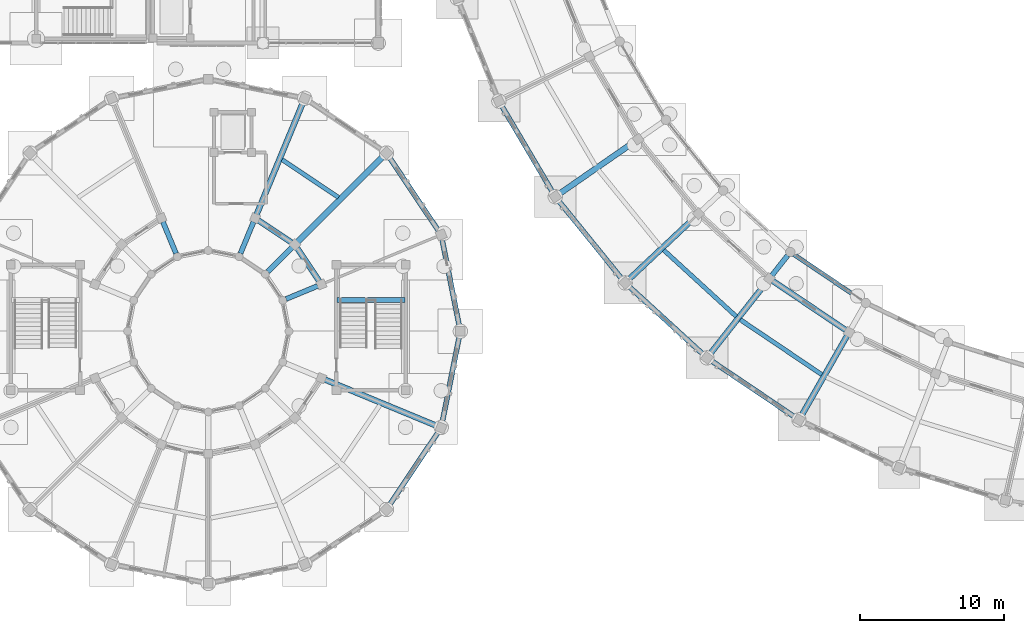
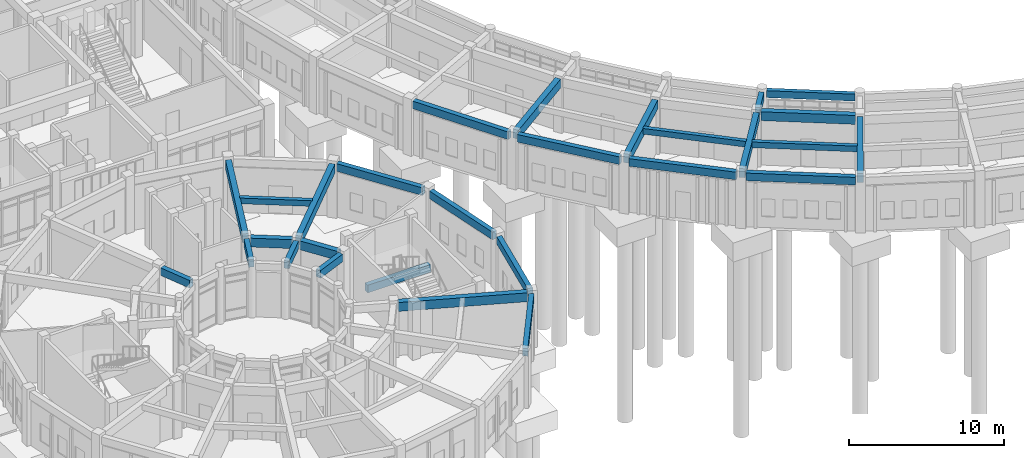
# One storey, part 23 of 153: 28 beams.
"""IFC4 building model written with IfcOpenShell, lengths in metres."""

from ifc_helpers import new_model, si_unit, direction, frame, origin, origin_2d, place, context, subcontext, project, spatial, rectangle, extrude, material, material_profile, profile_set, type_object, element, save


model = new_model("IFC4")

# Units and contexts
model_context = context("Model", 3, precision=1e-05, world=origin(), true_north=direction((0.0, 1.0)))
body_context = subcontext(model_context, "Body", "Model", "MODEL_VIEW")
ifc_project = project(units=[si_unit("LENGTHUNIT", "METRE"), si_unit("AREAUNIT", "SQUARE_METRE"), si_unit("VOLUMEUNIT", "CUBIC_METRE"), si_unit("PLANEANGLEUNIT", "RADIAN"), si_unit("MASSUNIT", "GRAM", prefix="KILO")], contexts=[model_context])

# Site, building, storey
site_placement = place(None, origin())
site = spatial("IfcSite", under=ifc_project, at=site_placement, CompositionType="ELEMENT")
building_placement = place(site_placement, origin())
building = spatial("IfcBuilding", under=site, at=building_placement, Name="Celadon Cloister-Ring School", CompositionType="ELEMENT")
storey_placement = place(building_placement, origin())
storey = spatial("IfcBuildingStorey", under=building, at=storey_placement, Name="L00", CompositionType="ELEMENT", Elevation=0.0)

# Beams
ifc_material_1 = material(Name="Concrete C35/45", Category="concrete")
ifc_material_profile_1 = material_profile(ifc_material_1, rectangle(XDim=0.35009765625, YDim=0.60009765625, at=origin_2d()), Name="RC350X600")
ifc_profile_set_1 = profile_set([ifc_material_profile_1], Name="Concrete C35/45")
beam_type_1 = type_object("IfcBeamType", Name="BT-02", PredefinedType="BEAM", material=ifc_profile_set_1)
beam_1_placement = place(storey_placement, frame((59.322021484375, 23.867919921875, 3.97998046875), z_axis=(0.618720442645, 0.785611235824, 0.0), x_axis=(-0.785611235824, 0.618720442645, 0.0)))
element("IfcBeam", 1, at=beam_1_placement, inside=storey, type_object=beam_type_1, Name="Beam 0027", PredefinedType="BEAM", context=body_context, shape_type="SweptSolid", body=[
    extrude(rectangle(XDim=0.35009765625, YDim=0.60009765625, at=origin_2d()), origin(), (0.0, 0.0, 1.0), 1.7744140625),
])
beam_2_placement = place(storey_placement, frame((27.799072265625, 23.14794921875, 3.9599609375), z_axis=(-0.923862714127, -0.382724033014, 0.0), x_axis=(0.382724033014, -0.923862714127, 0.0)))
element("IfcBeam", 2, at=beam_2_placement, inside=storey, type_object=beam_type_1, Name="Beam 0850", PredefinedType="BEAM", context=body_context, shape_type="SweptSolid", body=[
    extrude(rectangle(XDim=0.35009765625, YDim=0.60009765625, at=origin_2d()), origin(), (0.0, 0.0, 1.0), 2.375),
])
beam_3_placement = place(storey_placement, frame((26.01611328125, 25.81591796875, 3.9599609375), z_axis=(-0.707158186572, -0.707055372064, 0.0), x_axis=(0.707055372064, -0.707158186572, 0.0)))
element("IfcBeam", 3, at=beam_3_placement, inside=storey, type_object=beam_type_1, Name="Beam 0852", PredefinedType="BEAM", context=body_context, shape_type="SweptSolid", body=[
    extrude(rectangle(XDim=0.35009765625, YDim=0.60009765625, at=origin_2d()), origin(), (0.0, 0.0, 1.0), 2.37451171875),
])
for number, where, z_axis, x_axis, name in (
    (4, (23.347900390625, 27.59912109375, 3.9599609375), (-0.382724033014, -0.923862714127, 0.0), (0.923862714127, -0.382724033014, 0.0), "Beam 0854"),
    (5, (17.052001953125, 27.59912109375, 3.9599609375), (0.382724033014, -0.923862714127, 0.0), (0.923862714127, 0.382724033014, 0.0), "Beam 0856"),
):
    element("IfcBeam", number, at=place(storey_placement, frame(where, z_axis=z_axis, x_axis=x_axis)), inside=storey, type_object=beam_type_1, Name=name, PredefinedType="BEAM", context=body_context, shape_type="SweptSolid", body=[
        extrude(rectangle(XDim=0.35009765625, YDim=0.60009765625, at=origin_2d()), origin(), (0.0, 0.0, 1.0), 2.375),
    ])
beam_4_placement = place(storey_placement, frame((29.14990234375, 22.155029296875, 1.64990234375), z_axis=(1.0, 0.0, 0.0), x_axis=(0.0, 1.0, 0.0)))
element("IfcBeam", 6, at=beam_4_placement, inside=storey, type_object=beam_type_1, Name="Stair Landing Beam 1734", PredefinedType="BEAM", context=body_context, shape_type="SweptSolid", body=[
    extrude(rectangle(XDim=0.35009765625, YDim=0.60009765625, at=origin_2d()), origin(), (0.0, 0.0, 1.0), 4.7001953125),
])
ifc_material_2 = material(Name="Concrete C35/45", Category="concrete")
ifc_material_profile_2 = material_profile(ifc_material_2, rectangle(XDim=0.39990234375, YDim=0.699951171875, at=origin_2d()), Name="RC400X700")
ifc_profile_set_2 = profile_set([ifc_material_profile_2], Name="Concrete C35/45")
beam_type_2 = type_object("IfcBeamType", Name="GT-03", PredefinedType="USERDEFINED", material=ifc_profile_set_2)
beam_5_placement = place(storey_placement, frame((44.533935546875, 29.511962890625, 3.929931640625), z_axis=(0.82146242605, 0.570262643515, 0.0), x_axis=(-0.570262643515, 0.82146242605, 0.0)))
element("IfcBeam", 7, at=beam_5_placement, inside=storey, type_object=beam_type_2, Name="Beam 0022", ObjectType="GIRDER", PredefinedType="USERDEFINED", context=body_context, shape_type="SweptSolid", body=[
    extrude(rectangle(XDim=0.39990234375, YDim=0.699951171875, at=origin_2d()), origin(), (0.0, 0.0, 1.0), 6.42529296875),
])
beam_6_placement = place(storey_placement, frame((49.35595703125, 23.56201171875, 3.929931640625), z_axis=(0.728174336837, 0.685391957329, 0.0), x_axis=(-0.685391957329, 0.728174336837, 0.0)))
element("IfcBeam", 8, at=beam_6_placement, inside=storey, type_object=beam_type_2, Name="Beam 0024", ObjectType="GIRDER", PredefinedType="USERDEFINED", context=body_context, shape_type="SweptSolid", body=[
    extrude(rectangle(XDim=0.39990234375, YDim=0.699951171875, at=origin_2d()), origin(), (0.0, 0.0, 1.0), 6.425537109375),
])
beam_7_placement = place(storey_placement, frame((55.006103515625, 18.388916015625, 3.929931640625), z_axis=(0.618806152173, 0.785543726366, 0.0), x_axis=(-0.785543726366, 0.618806152173, 0.0)))
element("IfcBeam", 9, at=beam_7_placement, inside=storey, type_object=beam_type_2, Name="Beam 0026", ObjectType="GIRDER", PredefinedType="USERDEFINED", context=body_context, shape_type="SweptSolid", body=[
    extrude(rectangle(XDim=0.39990234375, YDim=0.699951171875, at=origin_2d()), origin(), (0.0, 0.0, 1.0), 6.425048828125),
])
beam_8_placement = place(storey_placement, frame((61.35693359375, 14.10791015625, 3.929931640625), z_axis=(0.496016173034, 0.868313282225, 0.0), x_axis=(-0.868313282225, 0.496016173034, 0.0)))
element("IfcBeam", 10, at=beam_8_placement, inside=storey, type_object=beam_type_2, Name="Beam 0028", ObjectType="GIRDER", PredefinedType="USERDEFINED", context=body_context, shape_type="SweptSolid", body=[
    extrude(rectangle(XDim=0.39990234375, YDim=0.699951171875, at=origin_2d()), origin(), (0.0, 0.0, 1.0), 6.42529296875),
])
beam_9_placement = place(storey_placement, frame((59.3798828125, 23.498046875, 3.929931640625), z_axis=(0.82927648131, -0.558838543362, 0.0), x_axis=(0.558838543362, 0.82927648131, 0.0)))
element("IfcBeam", 11, at=beam_9_placement, inside=storey, type_object=beam_type_2, Name="Beam 0120", ObjectType="GIRDER", PredefinedType="USERDEFINED", context=body_context, shape_type="SweptSolid", body=[
    extrude(rectangle(XDim=0.39990234375, YDim=0.699951171875, at=origin_2d()), origin(), (0.0, 0.0, 1.0), 6.1162109375),
])
beam_10_placement = place(storey_placement, frame((32.362060546875, 32.162109375, 3.909912109375), z_axis=(-0.707106781187, -0.707106781187, 0.0), x_axis=(0.707106781187, -0.707106781187, 0.0)))
element("IfcBeam", 12, at=beam_10_placement, inside=storey, type_object=beam_type_2, Name="Beam 0851", ObjectType="GIRDER", PredefinedType="USERDEFINED", context=body_context, shape_type="SweptSolid", body=[
    extrude(rectangle(XDim=0.39990234375, YDim=0.699951171875, at=origin_2d()), origin(), (0.0, 0.0, 1.0), 8.42578125),
])
beam_11_placement = place(storey_placement, frame((26.781982421875, 35.89111328125, 3.909912109375), z_axis=(-0.382639277503, -0.923897820818, 0.0), x_axis=(0.923897820818, -0.382639277503, 0.0)))
element("IfcBeam", 13, at=beam_11_placement, inside=storey, type_object=beam_type_2, Name="Beam 0853", ObjectType="GIRDER", PredefinedType="USERDEFINED", context=body_context, shape_type="SweptSolid", body=[
    extrude(rectangle(XDim=0.39990234375, YDim=0.699951171875, at=origin_2d()), origin(), (0.0, 0.0, 1.0), 8.42529296875),
])
beam_12_placement = place(storey_placement, frame((36.091064453125, 13.41796875, 3.909912109375), z_axis=(-0.923887576717, 0.382664011358, 0.0), x_axis=(-0.382664011358, -0.923887576717, 0.0)))
element("IfcBeam", 14, at=beam_12_placement, inside=storey, type_object=beam_type_2, Name="Beam 0872", ObjectType="GIRDER", PredefinedType="USERDEFINED", context=body_context, shape_type="SweptSolid", body=[
    extrude(rectangle(XDim=0.39990234375, YDim=0.699951171875, at=origin_2d()), origin(), (0.0, 0.0, 1.0), 8.425537109375),
])
for number, where, z_axis, x_axis, name in (
    (15, (27.89990234375, 23.48193359375, 3.909912109375), (-0.555738781682, 0.831356966973, 0.0), (-0.831356966973, -0.555738781682, 0.0), "Beam 0877"),
    (16, (25.98095703125, 26.1630859375, 3.909912109375), (-0.831356966973, 0.555738781682, 0.0), (-0.555738781682, -0.831356966973, 0.0), "Beam 0880"),
):
    element("IfcBeam", number, at=place(storey_placement, frame(where, z_axis=z_axis, x_axis=x_axis)), inside=storey, type_object=beam_type_2, Name=name, ObjectType="GIRDER", PredefinedType="USERDEFINED", context=body_context, shape_type="SweptSolid", body=[
        extrude(rectangle(XDim=0.39990234375, YDim=0.699951171875, at=origin_2d()), origin(), (0.0, 0.0, 1.0), 2.765380859375),
    ])
ifc_material_3 = material(Name="Concrete C35/45", Category="concrete")
ifc_material_profile_3 = material_profile(ifc_material_3, rectangle(XDim=0.300048828125, YDim=0.449951171875, at=origin_2d()), Name="RC300X450")
ifc_profile_set_3 = profile_set([ifc_material_profile_3], Name="Concrete C35/45")
beam_type_3 = type_object("IfcBeamType", Name="JT-01", PredefinedType="JOIST", material=ifc_profile_set_3)
beam_13_placement = place(storey_placement, frame((51.81591796875, 25.636962890625, 4.054931640625), z_axis=(0.737515802412, -0.675329875833, 0.0), x_axis=(0.675329875833, 0.737515802412, 0.0)))
element("IfcBeam", 17, at=beam_13_placement, inside=storey, type_object=beam_type_3, Name="Beam 0118", PredefinedType="JOIST", context=body_context, shape_type="SweptSolid", body=[
    extrude(rectangle(XDim=0.300048828125, YDim=0.449951171875, at=origin_2d()), origin(), (0.0, 0.0, 1.0), 6.835205078125),
])
beam_14_placement = place(storey_placement, frame((57.131103515625, 20.804931640625, 4.054931640625), z_axis=(0.829176460094, -0.558986939048, 0.0), x_axis=(0.558986939048, 0.829176460094, 0.0)))
element("IfcBeam", 18, at=beam_14_placement, inside=storey, type_object=beam_type_3, Name="Beam 0122", PredefinedType="JOIST", context=body_context, shape_type="SweptSolid", body=[
    extrude(rectangle(XDim=0.300048828125, YDim=0.449951171875, at=origin_2d()), origin(), (0.0, 0.0, 1.0), 6.835693359375),
])
beam_15_placement = place(storey_placement, frame((29.24609375, 29.2890625, 4.034912109375), z_axis=(-0.831333623542, 0.55577370068, 0.0), x_axis=(-0.55577370068, -0.831333623542, 0.0)))
element("IfcBeam", 19, at=beam_15_placement, inside=storey, type_object=beam_type_3, Name="Beam 0882", PredefinedType="JOIST", context=body_context, shape_type="SweptSolid", body=[
    extrude(rectangle(XDim=0.300048828125, YDim=0.449951171875, at=origin_2d()), origin(), (0.0, 0.0, 1.0), 4.721435546875),
])
ifc_material_4 = material(Name="Concrete C35/45", Category="concrete")
ifc_material_profile_4 = material_profile(ifc_material_4, rectangle(XDim=0.35009765625, YDim=0.60009765625, at=origin_2d()), Name="RC350X600")
ifc_profile_set_4 = profile_set([ifc_material_profile_4], Name="Concrete C35/45")
beam_type_4 = type_object("IfcBeamType", Name="SP-01", PredefinedType="SPANDREL", material=ifc_profile_set_4)
beam_16_placement = place(storey_placement, frame((40.527099609375, 35.718994140625, 3.97998046875), z_axis=(0.507956908895, -0.861382481077, 0.0), x_axis=(0.861382481077, 0.507956908895, 0.0)))
element("IfcBeam", 20, at=beam_16_placement, inside=storey, type_object=beam_type_4, Name="Beam 0107", PredefinedType="SPANDREL", context=body_context, shape_type="SweptSolid", body=[
    extrude(rectangle(XDim=0.35009765625, YDim=0.60009765625, at=origin_2d()), origin(), (0.0, 0.0, 1.0), 7.104736328125),
])
beam_17_placement = place(storey_placement, frame((44.47705078125, 29.10791015625, 3.97998046875), z_axis=(0.629565970538, -0.776947030846, 0.0), x_axis=(0.776947030846, 0.629565970538, 0.0)))
element("IfcBeam", 21, at=beam_17_placement, inside=storey, type_object=beam_type_4, Name="Beam 0111", PredefinedType="SPANDREL", context=body_context, shape_type="SweptSolid", body=[
    extrude(rectangle(XDim=0.35009765625, YDim=0.60009765625, at=origin_2d()), origin(), (0.0, 0.0, 1.0), 7.103271484375),
])
beam_18_placement = place(storey_placement, frame((49.35888671875, 23.153076171875, 3.97998046875), z_axis=(0.737604737807, -0.675232738221, 0.0), x_axis=(0.675232738221, 0.737604737807, 0.0)))
element("IfcBeam", 22, at=beam_18_placement, inside=storey, type_object=beam_type_4, Name="Beam 0115", PredefinedType="SPANDREL", context=body_context, shape_type="SweptSolid", body=[
    extrude(rectangle(XDim=0.35009765625, YDim=0.60009765625, at=origin_2d()), origin(), (0.0, 0.0, 1.0), 7.1044921875),
])
beam_19_placement = place(storey_placement, frame((55.069091796875, 17.985107421875, 3.97998046875), z_axis=(0.82920513084, -0.558944407781, 0.0), x_axis=(0.558944407781, 0.82920513084, 0.0)))
element("IfcBeam", 23, at=beam_19_placement, inside=storey, type_object=beam_type_4, Name="Beam 0119", PredefinedType="SPANDREL", context=body_context, shape_type="SweptSolid", body=[
    extrude(rectangle(XDim=0.35009765625, YDim=0.60009765625, at=origin_2d()), origin(), (0.0, 0.0, 1.0), 7.10302734375),
])
for number, where, z_axis, x_axis, name in (
    (24, (37.64111328125, 20.2939453125, 3.9599609375), (-0.194925014897, 0.980818147552, 0.0), (-0.980818147552, -0.194925014897, 0.0), "Beam 0874"),
    (25, (36.200927734375, 26.946044921875, 3.9599609375), (-0.555514042993, 0.831507154531, 0.0), (-0.831507154531, -0.555514042993, 0.0), "Beam 0876"),
    (26, (32.740966796875, 7.875, 3.9599609375), (0.555514042993, 0.831507154531, 0.0), (-0.831507154531, 0.555514042993, 0.0), "Beam 0918"),
    (27, (36.427001953125, 13.596923828125, 3.9599609375), (0.194925014897, 0.980818147552, 0.0), (-0.980818147552, 0.194925014897, 0.0), "Beam 0922"),
):
    element("IfcBeam", number, at=place(storey_placement, frame(where, z_axis=z_axis, x_axis=x_axis)), inside=storey, type_object=beam_type_4, Name=name, PredefinedType="SPANDREL", context=body_context, shape_type="SweptSolid", body=[
        extrude(rectangle(XDim=0.35009765625, YDim=0.60009765625, at=origin_2d()), origin(), (0.0, 0.0, 1.0), 6.228515625),
    ])
ifc_material_5 = material(Name="Concrete C35/45", Category="concrete")
ifc_material_profile_5 = material_profile(ifc_material_5, rectangle(XDim=0.300048828125, YDim=0.550048828125, at=origin_2d()), Name="RC300X550")
ifc_profile_set_5 = profile_set([ifc_material_profile_5], Name="Concrete C35/45")
beam_type_5 = type_object("IfcBeamType", Name="SP-02", PredefinedType="SPANDREL", material=ifc_profile_set_5)
beam_20_placement = place(storey_placement, frame((60.85498046875, 25.330078125, 4.0048828125), z_axis=(0.829181671267, -0.558979208947, 0.0), x_axis=(0.558979208947, 0.829181671267, 0.0)))
element("IfcBeam", 28, at=beam_20_placement, inside=storey, type_object=beam_type_5, Name="Beam 0121", PredefinedType="SPANDREL", context=body_context, shape_type="SweptSolid", body=[
    extrude(rectangle(XDim=0.300048828125, YDim=0.550048828125, at=origin_2d()), origin(), (0.0, 0.0, 1.0), 5.717529296875),
])

save(model, "model.ifc")
